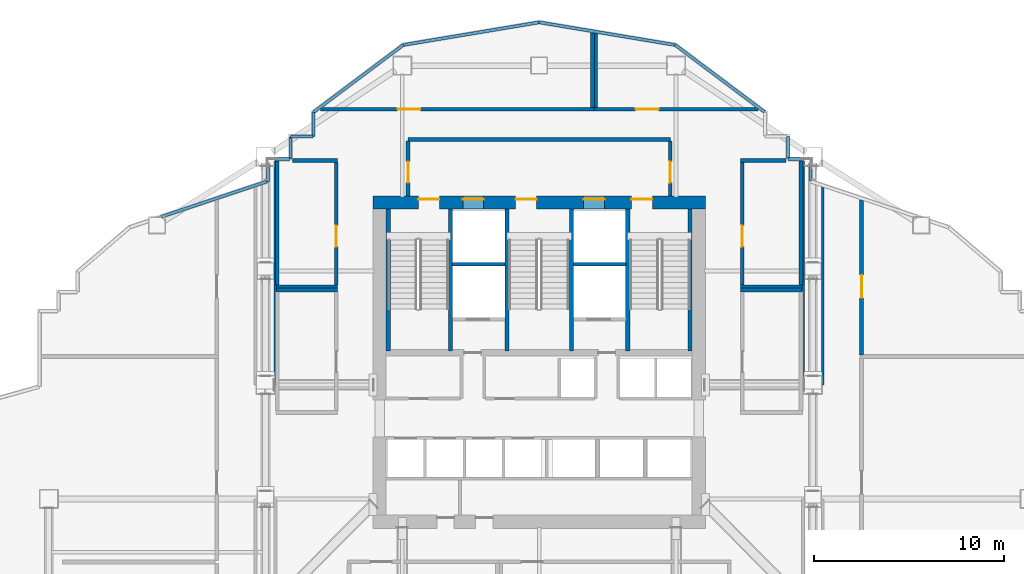
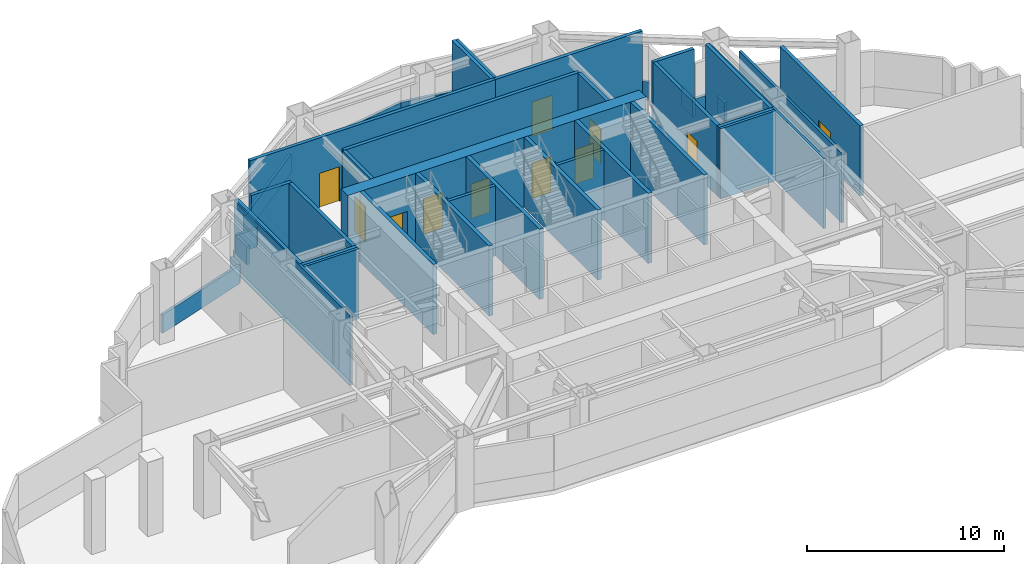
# One storey, part 16 of 24: 43 walls, 12 doors, 12 openings.
"""IFC4 building model written with IfcOpenShell, lengths in metres."""

import ifcopenshell
import ifcopenshell.guid

model = None  # the IFC model being written
_history = None  # IfcOwnerHistory: only IFC2X3 demands one
_inside = {}  # id of a spatial element -> (the spatial element, [elements in it])
_under = {}  # id of a project, library or spatial element -> (it, [spatial elements below it])
_declared = {}  # id of a project -> (the project, [libraries it declares])
_typed = {}  # id of a type object -> (the type object, [elements of that type])
_made_of = {}  # id of a material, layer set ... -> (it, [elements and type objects made of it])


def new_model(schema):
    """Start an empty IFC model of exactly this schema.

    Asked for "IFC4X3", IfcOpenShell would pick the latest addendum, in which some entities
    have other attributes; the version numbers below select the first issue.
    IFC2X3 requires an IfcOwnerHistory on every rooted entity: one is made here for all.
    """
    global model, _history
    if schema == "IFC4X3":
        model = ifcopenshell.file(schema_version=(4, 3, 0, 0))
    else:
        model = ifcopenshell.file(schema=schema)
    _inside.clear()
    _under.clear()
    _declared.clear()
    _typed.clear()
    _made_of.clear()
    _history = None
    if model.schema == "IFC2X3":
        org = make("IfcOrganization", Name="unknown")
        user = make(
            "IfcPersonAndOrganization",
            ThePerson=make("IfcPerson", FamilyName="unknown"),
            TheOrganization=org,
        )
        app = make(
            "IfcApplication",
            ApplicationDeveloper=org,
            Version="unknown",
            ApplicationFullName="unknown",
            ApplicationIdentifier="unknown",
        )
        _history = make(
            "IfcOwnerHistory",
            OwningUser=user,
            OwningApplication=app,
            ChangeAction="ADDED",
            CreationDate=0,
        )
    return model


def make(cls, **values):
    """One entity of the class cls with the attributes given. An attribute that is None is left unset."""
    return model.create_entity(
        cls, **{name: value for name, value in values.items() if value is not None}
    )


def rooted(cls, **values):
    """An entity with a GlobalId (a new one), such as an element, a storey or a relation."""
    return make(cls, GlobalId=ifcopenshell.guid.new(), OwnerHistory=_history, **values)


def si_unit(unit_type, name, prefix=None):
    """IfcSIUnit, for example si_unit("LENGTHUNIT", "METRE", prefix="MILLI")."""
    return make("IfcSIUnit", UnitType=unit_type, Prefix=prefix, Name=name)


def assignment(units):
    """IfcUnitAssignment: the units of a project."""
    return None if units is None else make("IfcUnitAssignment", Units=units)


def point(xyz):
    """IfcCartesianPoint."""
    return None if xyz is None else make("IfcCartesianPoint", Coordinates=xyz)


def direction(xyz):
    """IfcDirection."""
    return None if xyz is None else make("IfcDirection", DirectionRatios=xyz)


def frame(location, z_axis=None, x_axis=None):
    """IfcAxis2Placement3D, a coordinate frame: its origin and axes. An axis left out is left unset."""
    return make(
        "IfcAxis2Placement3D",
        Location=point(location),
        Axis=direction(z_axis),
        RefDirection=direction(x_axis),
    )


def frame_2d(location, x_axis=None):
    """IfcAxis2Placement2D, a coordinate frame in the plane: its origin and x axis."""
    return make(
        "IfcAxis2Placement2D", Location=point(location), RefDirection=direction(x_axis)
    )


def origin():
    """The frame at (0, 0, 0) with its axes left unset."""
    return frame((0.0, 0.0, 0.0))


def place(relative_to, where):
    """IfcLocalPlacement: puts the frame where relative to a parent placement (None: the world)."""
    return make(
        "IfcLocalPlacement", PlacementRelTo=relative_to, RelativePlacement=where
    )


def context(
    kind, dimensions, precision=None, world=None, true_north=None, identifier=None
):
    """IfcGeometricRepresentationContext, for example the 3D "Model" context."""
    return make(
        "IfcGeometricRepresentationContext",
        ContextIdentifier=identifier,
        ContextType=kind,
        CoordinateSpaceDimension=dimensions,
        Precision=precision,
        WorldCoordinateSystem=world,
        TrueNorth=true_north,
    )


def subcontext(parent, identifier, kind, view, scale=None):
    """IfcGeometricRepresentationSubContext, for example "Body" below "Model"."""
    return make(
        "IfcGeometricRepresentationSubContext",
        ContextIdentifier=identifier,
        ContextType=kind,
        ParentContext=parent,
        TargetScale=scale,
        TargetView=view,
    )


def project(units=None, contexts=None):
    """IfcProject with its units and contexts."""
    return rooted(
        "IfcProject",
        Name="project",
        RepresentationContexts=contexts,
        UnitsInContext=assignment(units),
    )


def spatial(cls, under=None, at=None, **own):
    """A site, building, storey or space (cls), placed at a placement, below another one or the project."""
    s = rooted(cls, ObjectPlacement=at, **own)
    if under is not None:
        _under.setdefault(under.id(), (under, []))[1].append(s)
    return s


def profile(cls, at=None, kind="AREA", **sizes):
    """A parametric profile (cls). Its sizes go by their IFC names, for example OverallWidth=200.0."""
    return make(cls, ProfileType=kind, Position=at, **sizes)


def rectangle(**sizes):
    """IfcRectangleProfileDef."""
    return profile("IfcRectangleProfileDef", **sizes)


def extrude(swept, where, along, depth):
    """IfcExtrudedAreaSolid: the profile swept, set in the frame where, extruded along a direction by depth."""
    return make(
        "IfcExtrudedAreaSolid",
        SweptArea=swept,
        Position=where,
        ExtrudedDirection=direction(along),
        Depth=depth,
    )


def shape(context_of_items, identifier, shape_type, items):
    """IfcShapeRepresentation: the items that make up one representation, for example the "Body"."""
    return make(
        "IfcShapeRepresentation",
        ContextOfItems=context_of_items,
        RepresentationIdentifier=identifier,
        RepresentationType=shape_type,
        Items=items,
    )


def material(Name=None, Category=None):
    """IfcMaterial."""
    return make("IfcMaterial", Name=Name, Category=Category)


def layer(
    of_material, thickness, ventilated=None, Name=None, Category=None, Priority=None
):
    """IfcMaterialLayer: one layer of a wall or slab, of a material (None: an air gap)."""
    return make(
        "IfcMaterialLayer",
        Material=of_material,
        LayerThickness=thickness,
        IsVentilated=ventilated,
        Name=Name,
        Category=Category,
        Priority=Priority,
    )


def layer_set(layers, Name=None):
    """IfcMaterialLayerSet."""
    return make("IfcMaterialLayerSet", MaterialLayers=layers, LayerSetName=Name)


def made_of(thing, what):
    """Note that an element or type object is made of a material, layer set ...; save() writes the relation."""
    if what is not None:
        _made_of.setdefault(what.id(), (what, []))[1].append(thing)
    return thing


def type_object(cls, material=None, **own):
    """A type object (cls), such as IfcWallType, which elements share."""
    return made_of(rooted(cls, **own), material)


def element(
    cls,
    number,
    at=None,
    inside=None,
    cuts=None,
    type_object=None,
    material=None,
    context=None,
    identifier="Body",
    shape_type=None,
    held_by="IfcProductDefinitionShape",
    body=None,
    shapes=None,
    **own,
):
    """One element of the class cls, such as IfcWall. Its Tag is "e" and its number.

    at: its placement. inside: the storey or other place that contains it. cuts: it is an
    opening in that element (IfcRelVoidsElement). A single representation is given by context,
    identifier, shape_type and body (its items); several are given by shapes. held_by: the class
    of the entity that holds the representations. save() writes the other relations.
    """
    e = rooted(cls, Tag="e%d" % number, ObjectPlacement=at, **own)
    if body is not None:
        shapes = [shape(context, identifier, shape_type, body)]
    if shapes is not None:
        e.Representation = make(held_by, Representations=shapes)
    if inside is not None:
        _inside.setdefault(inside.id(), (inside, []))[1].append(e)
    if cuts is not None:
        rooted(
            "IfcRelVoidsElement", RelatingBuildingElement=cuts, RelatedOpeningElement=e
        )
    if type_object is not None:
        _typed.setdefault(type_object.id(), (type_object, []))[1].append(e)
    return made_of(e, material)


def fill(opening, filler):
    """IfcRelFillsElement: the door or window that sits in an opening."""
    return rooted(
        "IfcRelFillsElement",
        RelatingOpeningElement=opening,
        RelatedBuildingElement=filler,
    )


def aggregate(whole, parts):
    """IfcRelAggregates: a whole, such as a stair, and the parts it consists of."""
    return rooted("IfcRelAggregates", RelatingObject=whole, RelatedObjects=parts)


def save(model, path):
    """Write the relations noted so far, then the file.

    IfcRelAggregates (storeys below a building ...), IfcRelContainedInSpatialStructure (elements
    in a storey), IfcRelDefinesByType, IfcRelAssociatesMaterial and IfcRelDeclares: one each for
    every whole, place, type object, material and project.
    """
    for whole, parts in _under.values():
        aggregate(whole, parts)
    for where, things in _inside.values():
        rooted(
            "IfcRelContainedInSpatialStructure",
            RelatedElements=things,
            RelatingStructure=where,
        )
    for kind, things in _typed.values():
        rooted("IfcRelDefinesByType", RelatedObjects=things, RelatingType=kind)
    for what, things in _made_of.values():
        rooted("IfcRelAssociatesMaterial", RelatedObjects=things, RelatingMaterial=what)
    for by, libraries in _declared.values():
        rooted("IfcRelDeclares", RelatingContext=by, RelatedDefinitions=libraries)
    model.write(path)


model = new_model("IFC4")

# Units and contexts
model_context = context("Model", 3, precision=1e-05, world=origin(), true_north=direction((0.0, 1.0)))
body_context = subcontext(model_context, "Body", "Model", "MODEL_VIEW")
ifc_project = project(units=[si_unit("LENGTHUNIT", "METRE"), si_unit("AREAUNIT", "SQUARE_METRE"), si_unit("VOLUMEUNIT", "CUBIC_METRE"), si_unit("PLANEANGLEUNIT", "RADIAN"), si_unit("MASSUNIT", "GRAM", prefix="KILO")], contexts=[model_context])

# Site, building, storey
site_placement = place(None, origin())
site = spatial("IfcSite", under=ifc_project, at=site_placement, CompositionType="ELEMENT")
building_placement = place(site_placement, origin())
building = spatial("IfcBuilding", under=site, at=building_placement, Name="Haolan Belvedere Tower", CompositionType="ELEMENT")
storey_placement = place(building_placement, frame((0.0, 0.0, 160.0)))
storey = spatial("IfcBuildingStorey", under=building, at=storey_placement, Name="L40", CompositionType="ELEMENT", Elevation=160.0)

# Wall, openings, doors
ifc_material_1 = material(Name="Concrete C60/75", Category="concrete")
ifc_layer_1 = layer(ifc_material_1, 0.699951171875, Name="Concrete C60/75")
ifc_layer_set_1 = layer_set([ifc_layer_1], Name="Concrete C60/75")
wall_type_1 = type_object("IfcWallType", Name="WL-CORE-700", PredefinedType="SHEAR", material=ifc_layer_set_1)
wall_1_placement = place(storey_placement, frame((29.64990234375, 43.199951171875, 0.0), z_axis=(0.0, 0.0, 1.0), x_axis=(1.0, 0.0, 0.0)))
wall_1 = element("IfcWall", 1, at=wall_1_placement, inside=storey, type_object=wall_type_1, Name="L40 central core north shear wall", PredefinedType="SHEAR", context=body_context, shape_type="SweptSolid", body=[
    extrude(rectangle(XDim=17.5, YDim=0.699951171875, at=frame_2d((8.75, 0.0))), origin(), (0.0, 0.0, 1.0), 4.35009765625),
])
opening_1_placement = place(wall_1_placement, frame((2.39990234375, 0.0, 0.0)))
opening_1 = element("IfcOpeningElement", 2, at=opening_1_placement, cuts=wall_1, Name="Opening FD-03", PredefinedType="OPENING", context=body_context, shape_type="SweptSolid", body=[
    extrude(rectangle(XDim=1.10009765625, YDim=2.14990234375, at=frame_2d((0.550048828125, 1.074951171875))), frame((0.0, 0.35986328125, 0.0), z_axis=(0.0, -1.0, 0.0), x_axis=(1.0, 0.0, 0.0)), (0.0, 0.0, 1.0), 0.719970703125),
])
opening_2_placement = place(wall_1_placement, frame((7.510009765625, 0.0, 0.0)))
opening_2 = element("IfcOpeningElement", 3, at=opening_2_placement, cuts=wall_1, Name="Opening FD-03", PredefinedType="OPENING", context=body_context, shape_type="SweptSolid", body=[
    extrude(rectangle(XDim=1.10009765625, YDim=2.14990234375, at=frame_2d((0.550048828125, 1.074951171875))), frame((0.0, 0.35986328125, 0.0), z_axis=(0.0, -1.0, 0.0), x_axis=(1.0, 0.0, 0.0)), (0.0, 0.0, 1.0), 0.719970703125),
])
opening_3_placement = place(wall_1_placement, frame((13.60009765625, 0.0, 0.0)))
opening_3 = element("IfcOpeningElement", 4, at=opening_3_placement, cuts=wall_1, Name="Opening FD-03", PredefinedType="OPENING", context=body_context, shape_type="SweptSolid", body=[
    extrude(rectangle(XDim=1.10009765625, YDim=2.14990234375, at=frame_2d((0.550048828125, 1.074951171875))), frame((0.0, 0.35986328125, 0.0), z_axis=(0.0, -1.0, 0.0), x_axis=(1.0, 0.0, 0.0)), (0.0, 0.0, 1.0), 0.719970703125),
])
opening_4_placement = place(wall_1_placement, frame((4.72998046875, 0.0, 0.0)))
opening_4 = element("IfcOpeningElement", 5, at=opening_4_placement, cuts=wall_1, Name="Opening LD-01", PredefinedType="OPENING", context=body_context, shape_type="SweptSolid", body=[
    extrude(rectangle(XDim=1.10009765625, YDim=2.199951171875, at=frame_2d((0.550048828125, 1.10009765625))), frame((0.0, 0.35986328125, 0.0), z_axis=(0.0, -1.0, 0.0), x_axis=(1.0, 0.0, 0.0)), (0.0, 0.0, 1.0), 0.719970703125),
])
opening_5_placement = place(wall_1_placement, frame((11.090087890625, 0.0, 0.0)))
opening_5 = element("IfcOpeningElement", 6, at=opening_5_placement, cuts=wall_1, Name="Opening LD-01", PredefinedType="OPENING", context=body_context, shape_type="SweptSolid", body=[
    extrude(rectangle(XDim=1.10009765625, YDim=2.199951171875, at=frame_2d((0.550048828125, 1.10009765625))), frame((0.0, 0.35986328125, 0.0), z_axis=(0.0, -1.0, 0.0), x_axis=(1.0, 0.0, 0.0)), (0.0, 0.0, 1.0), 0.719970703125),
])
ifc_material_2 = material(Name="Galvanised fire-rated steel", Category="steel")
door_type_1 = type_object("IfcDoorType", Name="DR-FD90-1100", OperationType="NOTDEFINED", PredefinedType="DOOR", material=ifc_material_2)
door_1_placement = place(opening_1_placement, origin())
door_1 = element("IfcDoor", 7, at=door_1_placement, inside=storey, type_object=door_type_1, Name="L40 door CD-L40-ST1", OperationType="SINGLE_SWING_LEFT", OverallHeight=2.14990234375, OverallWidth=1.10009765625, PredefinedType="DOOR", context=body_context, shape_type="SweptSolid", body=[
    extrude(rectangle(XDim=1.10009765625, YDim=2.14990234375, at=frame_2d((0.550048828125, 1.074951171875))), frame((0.0, 0.18505859375, 0.0), z_axis=(0.0, -1.0, 0.0), x_axis=(1.0, 0.0, 0.0)), (0.0, 0.0, 1.0), 0.050048828125),
])
fill(opening_1, door_1)
door_2_placement = place(opening_2_placement, origin())
door_2 = element("IfcDoor", 8, at=door_2_placement, inside=storey, type_object=door_type_1, Name="L40 door CD-L40-ST3", OperationType="SINGLE_SWING_LEFT", OverallHeight=2.14990234375, OverallWidth=1.10009765625, PredefinedType="DOOR", context=body_context, shape_type="SweptSolid", body=[
    extrude(rectangle(XDim=1.10009765625, YDim=2.14990234375, at=frame_2d((0.550048828125, 1.074951171875))), frame((0.0, 0.18505859375, 0.0), z_axis=(0.0, -1.0, 0.0), x_axis=(1.0, 0.0, 0.0)), (0.0, 0.0, 1.0), 0.050048828125),
])
fill(opening_2, door_2)
door_3_placement = place(opening_3_placement, origin())
door_3 = element("IfcDoor", 9, at=door_3_placement, inside=storey, type_object=door_type_1, Name="L40 door CD-L40-ST2", OperationType="SINGLE_SWING_RIGHT", OverallHeight=2.14990234375, OverallWidth=1.10009765625, PredefinedType="DOOR", context=body_context, shape_type="SweptSolid", body=[
    extrude(rectangle(XDim=1.10009765625, YDim=2.14990234375, at=frame_2d((0.550048828125, 1.074951171875))), frame((0.0, 0.18505859375, 0.0), z_axis=(0.0, -1.0, 0.0), x_axis=(1.0, 0.0, 0.0)), (0.0, 0.0, 1.0), 0.050048828125),
])
fill(opening_3, door_3)
ifc_material_3 = material(Name="Brushed champagne stainless steel 316L", Category="steel")
door_type_2 = type_object("IfcDoorType", Name="DR-LIFT-1100", OperationType="SLIDING_TO_LEFT", PredefinedType="DOOR", material=ifc_material_3)
door_4_placement = place(opening_4_placement, origin())
door_4 = element("IfcDoor", 10, at=door_4_placement, inside=storey, type_object=door_type_2, Name="L40 door LD-L40-FF1", OperationType="SLIDING_TO_LEFT", OverallHeight=2.199951171875, OverallWidth=1.10009765625, PredefinedType="DOOR", context=body_context, shape_type="SweptSolid", body=[
    extrude(rectangle(XDim=1.10009765625, YDim=2.199951171875, at=frame_2d((0.550048828125, 1.10009765625))), frame((0.0, 0.18505859375, 0.0), z_axis=(0.0, -1.0, 0.0), x_axis=(1.0, 0.0, 0.0)), (0.0, 0.0, 1.0), 0.050048828125),
])
fill(opening_4, door_4)
door_5_placement = place(opening_5_placement, origin())
door_5 = element("IfcDoor", 11, at=door_5_placement, inside=storey, type_object=door_type_2, Name="L40 door LD-L40-FF2", OperationType="SLIDING_TO_LEFT", OverallHeight=2.199951171875, OverallWidth=1.10009765625, PredefinedType="DOOR", context=body_context, shape_type="SweptSolid", body=[
    extrude(rectangle(XDim=1.10009765625, YDim=2.199951171875, at=frame_2d((0.550048828125, 1.10009765625))), frame((0.0, 0.18505859375, 0.0), z_axis=(0.0, -1.0, 0.0), x_axis=(1.0, 0.0, 0.0)), (0.0, 0.0, 1.0), 0.050048828125),
])
fill(opening_5, door_5)

# Wall
ifc_material_4 = material(Name="Concrete C40/50", Category="concrete")
ifc_layer_2 = layer(ifc_material_4, 0.199951171875, Name="Concrete C40/50")
ifc_layer_set_2 = layer_set([ifc_layer_2], Name="Concrete C40/50")
wall_type_2 = type_object("IfcWallType", Name="WL-FIRE-200", PredefinedType="SOLIDWALL", material=ifc_layer_set_2)
wall_2_placement = place(storey_placement, frame((31.5, 46.52001953125, 0.0), z_axis=(0.0, 0.0, 1.0), x_axis=(1.0, 0.0, 0.0)))
element("IfcWall", 12, at=wall_2_placement, inside=storey, type_object=wall_type_2, Name="L40 interior partition IW-L40-FFL-N", PredefinedType="SOLIDWALL", context=body_context, shape_type="SweptSolid", body=[
    extrude(rectangle(XDim=13.800048828125, YDim=0.199951171875, at=frame_2d((6.89990234375, 0.0))), origin(), (0.0, 0.0, 1.0), 4.35009765625),
])

# Wall, opening, door
wall_3_placement = place(storey_placement, frame((31.5, 43.550048828125, 0.0), z_axis=(0.0, 0.0, 1.0), x_axis=(0.0, 1.0, 0.0)))
wall_3 = element("IfcWall", 13, at=wall_3_placement, inside=storey, type_object=wall_type_2, Name="L40 interior partition IW-L40-FFL-W", PredefinedType="SOLIDWALL", context=body_context, shape_type="SweptSolid", body=[
    extrude(rectangle(XDim=2.885009765625, YDim=0.199951171875, at=frame_2d((1.4423828125, 0.0))), origin(), (0.0, 0.0, 1.0), 4.35009765625),
])
opening_6_placement = place(wall_3_placement, frame((1.800048828125, 0.0, 0.0), z_axis=(0.0, 0.0, 1.0), x_axis=(-1.0, 0.0, 0.0)))
opening_6 = element("IfcOpeningElement", 14, at=opening_6_placement, cuts=wall_3, Name="Opening FD-03", PredefinedType="OPENING", context=body_context, shape_type="SweptSolid", body=[
    extrude(rectangle(XDim=1.10009765625, YDim=2.14990234375, at=frame_2d((0.550048828125, 1.074951171875))), frame((0.0, 0.10986328125, 0.0), z_axis=(0.0, -1.0, 0.0), x_axis=(1.0, 0.0, 0.0)), (0.0, 0.0, 1.0), 0.219970703125),
])
door_6_placement = place(opening_6_placement, origin())
door_6 = element("IfcDoor", 15, at=door_6_placement, inside=storey, type_object=door_type_1, Name="L40 door ID-L40-FFL-DW", OperationType="SINGLE_SWING_LEFT", OverallHeight=2.14990234375, OverallWidth=1.10009765625, PredefinedType="DOOR", context=body_context, shape_type="SweptSolid", body=[
    extrude(rectangle(XDim=1.10009765625, YDim=2.14990234375, at=frame_2d((0.550048828125, 1.074951171875))), frame((0.0, 0.02490234375, 0.0), z_axis=(0.0, -1.0, 0.0), x_axis=(1.0, 0.0, 0.0)), (0.0, 0.0, 1.0), 0.050048828125),
])
fill(opening_6, door_6)

wall_4_placement = place(storey_placement, frame((45.300048828125, 43.550048828125, 0.0), z_axis=(0.0, 0.0, 1.0), x_axis=(0.0, 1.0, 0.0)))
wall_4 = element("IfcWall", 16, at=wall_4_placement, inside=storey, type_object=wall_type_2, Name="L40 interior partition IW-L40-FFL-E", PredefinedType="SOLIDWALL", context=body_context, shape_type="SweptSolid", body=[
    extrude(rectangle(XDim=2.885009765625, YDim=0.199951171875, at=frame_2d((1.4423828125, 0.0))), origin(), (0.0, 0.0, 1.0), 4.35009765625),
])
opening_7_placement = place(wall_4_placement, frame((0.699951171875, 0.0, 0.0)))
opening_7 = element("IfcOpeningElement", 17, at=opening_7_placement, cuts=wall_4, Name="Opening FD-03", PredefinedType="OPENING", context=body_context, shape_type="SweptSolid", body=[
    extrude(rectangle(XDim=1.10009765625, YDim=2.14990234375, at=frame_2d((0.550048828125, 1.074951171875))), frame((0.0, 0.10986328125, 0.0), z_axis=(0.0, -1.0, 0.0), x_axis=(1.0, 0.0, 0.0)), (0.0, 0.0, 1.0), 0.219970703125),
])
door_7_placement = place(opening_7_placement, origin())
door_7 = element("IfcDoor", 18, at=door_7_placement, inside=storey, type_object=door_type_1, Name="L40 door ID-L40-FFL-DE", OperationType="SINGLE_SWING_RIGHT", OverallHeight=2.14990234375, OverallWidth=1.10009765625, PredefinedType="DOOR", context=body_context, shape_type="SweptSolid", body=[
    extrude(rectangle(XDim=1.10009765625, YDim=2.14990234375, at=frame_2d((0.550048828125, 1.074951171875))), frame((0.0, 0.02490234375, 0.0), z_axis=(0.0, -1.0, 0.0), x_axis=(1.0, 0.0, 0.0)), (0.0, 0.0, 1.0), 0.050048828125),
])
fill(opening_7, door_7)

wall_5_placement = place(storey_placement, frame((55.360107421875, 35.18505859375, 0.0), z_axis=(0.0, 0.0, 1.0), x_axis=(0.0, 1.0, 0.0)))
wall_5 = element("IfcWall", 19, at=wall_5_placement, inside=storey, type_object=wall_type_2, Name="L40 interior partition IW-L40-REF-E2-W", PredefinedType="SOLIDWALL", context=body_context, shape_type="SweptSolid", body=[
    extrude(rectangle(XDim=8.13818359375, YDim=0.199951171875, at=frame_2d((4.069091796875, 0.0))), origin(), (0.0, 0.0, 1.0), 4.35009765625),
])
opening_8_placement = place(wall_5_placement, frame((2.9951171875, 0.0, 0.0)))
opening_8 = element("IfcOpeningElement", 20, at=opening_8_placement, cuts=wall_5, Name="Opening FD-02", PredefinedType="OPENING", context=body_context, shape_type="SweptSolid", body=[
    extrude(rectangle(XDim=1.199951171875, YDim=2.14990234375, at=frame_2d((0.60009765625, 1.074951171875))), frame((0.0, 0.10986328125, 0.0), z_axis=(0.0, -1.0, 0.0), x_axis=(1.0, 0.0, 0.0)), (0.0, 0.0, 1.0), 0.219970703125),
])
door_type_3 = type_object("IfcDoorType", Name="DR-FD90-1200", OperationType="NOTDEFINED", PredefinedType="DOOR", material=ifc_material_2)
door_8_placement = place(opening_8_placement, origin())
door_8 = element("IfcDoor", 21, at=door_8_placement, inside=storey, type_object=door_type_3, Name="L40 door ID-L40-REF-E2", OperationType="SINGLE_SWING_LEFT", OverallHeight=2.14990234375, OverallWidth=1.199951171875, PredefinedType="DOOR", context=body_context, shape_type="SweptSolid", body=[
    extrude(rectangle(XDim=1.199951171875, YDim=2.14990234375, at=frame_2d((0.60009765625, 1.074951171875))), frame((0.0, 0.02490234375, 0.0), z_axis=(0.0, -1.0, 0.0), x_axis=(1.0, 0.0, 0.0)), (0.0, 0.0, 1.0), 0.050048828125),
])
fill(opening_8, door_8)

# Walls
wall_6_placement = place(storey_placement, frame((24.580078125, 38.60009765625, 0.0), z_axis=(0.0, 0.0, 1.0), x_axis=(1.0, 0.0, 0.0)))
element("IfcWall", 22, at=wall_6_placement, inside=storey, type_object=wall_type_2, Name="L40 interior partition IW-L40-REF-WI1-N", PredefinedType="SOLIDWALL", context=body_context, shape_type="SweptSolid", body=[
    extrude(rectangle(XDim=3.219970703125, YDim=0.199951171875, at=frame_2d((1.60986328125, 0.0))), origin(), (0.0, 0.0, 1.0), 4.35009765625),
])
wall_7_placement = place(storey_placement, frame((25.412109375, 45.39990234375, 0.0), z_axis=(0.0, 0.0, 1.0), x_axis=(1.0, 0.0, 0.0)))
element("IfcWall", 23, at=wall_7_placement, inside=storey, type_object=wall_type_2, Name="L40 interior partition IW-L40-REF-WI2-N", PredefinedType="SOLIDWALL", context=body_context, shape_type="SweptSolid", body=[
    extrude(rectangle(XDim=2.387939453125, YDim=0.199951171875, at=frame_2d((1.19384765625, 0.0))), origin(), (0.0, 0.0, 1.0), 4.35009765625),
])
wall_8_placement = place(storey_placement, frame((24.580078125, 38.760009765625, 0.0), z_axis=(0.0, 0.0, 1.0), x_axis=(1.0, 0.0, 0.0)))
element("IfcWall", 24, at=wall_8_placement, inside=storey, type_object=wall_type_2, Name="L40 interior partition IW-L40-REF-WI2-S", PredefinedType="SOLIDWALL", context=body_context, shape_type="SweptSolid", body=[
    extrude(rectangle(XDim=3.219970703125, YDim=0.199951171875, at=frame_2d((1.60986328125, 0.0))), origin(), (0.0, 0.0, 1.0), 4.35009765625),
])
wall_9_placement = place(storey_placement, frame((24.6201171875, 38.844970703125, 0.0), z_axis=(0.0, 0.0, 1.0), x_axis=(0.0, 1.0, 0.0)))
element("IfcWall", 25, at=wall_9_placement, inside=storey, type_object=wall_type_2, Name="L40 interior partition IW-L40-REF-WI2-W", PredefinedType="SOLIDWALL", context=body_context, shape_type="SweptSolid", body=[
    extrude(rectangle(XDim=6.54296875, YDim=0.199951171875, at=frame_2d((3.271484375, 0.0))), origin(), (0.0, 0.0, 1.0), 4.35009765625),
])

# Wall, opening, door
wall_10_placement = place(storey_placement, frame((27.719970703125, 38.844970703125, 0.0), z_axis=(0.0, 0.0, 1.0), x_axis=(0.0, 1.0, 0.0)))
wall_10 = element("IfcWall", 26, at=wall_10_placement, inside=storey, type_object=wall_type_2, Name="L40 interior partition IW-L40-REF-WI2-E", PredefinedType="SOLIDWALL", context=body_context, shape_type="SweptSolid", body=[
    extrude(rectangle(XDim=6.469970703125, YDim=0.199951171875, at=frame_2d((3.23486328125, 0.0))), origin(), (0.0, 0.0, 1.0), 4.35009765625),
])
opening_9_placement = place(wall_10_placement, frame((3.135009765625, 0.0, 0.0), z_axis=(0.0, 0.0, 1.0), x_axis=(-1.0, 0.0, 0.0)))
opening_9 = element("IfcOpeningElement", 27, at=opening_9_placement, cuts=wall_10, Name="Opening FD-03", PredefinedType="OPENING", context=body_context, shape_type="SweptSolid", body=[
    extrude(rectangle(XDim=1.10009765625, YDim=2.14990234375, at=frame_2d((0.550048828125, 1.074951171875))), frame((0.0, 0.10986328125, 0.0), z_axis=(0.0, -1.0, 0.0), x_axis=(1.0, 0.0, 0.0)), (0.0, 0.0, 1.0), 0.219970703125),
])
door_9_placement = place(opening_9_placement, origin())
door_9 = element("IfcDoor", 28, at=door_9_placement, inside=storey, type_object=door_type_1, Name="L40 door ID-L40-REF-WI2", OperationType="SINGLE_SWING_RIGHT", OverallHeight=2.14990234375, OverallWidth=1.10009765625, PredefinedType="DOOR", context=body_context, shape_type="SweptSolid", body=[
    extrude(rectangle(XDim=1.10009765625, YDim=2.14990234375, at=frame_2d((0.550048828125, 1.074951171875))), frame((0.0, 0.02490234375, 0.0), z_axis=(0.0, -1.0, 0.0), x_axis=(1.0, 0.0, 0.0)), (0.0, 0.0, 1.0), 0.050048828125),
])
fill(opening_9, door_9)

# Walls
wall_11_placement = place(storey_placement, frame((49.0, 38.60009765625, 0.0), z_axis=(0.0, 0.0, 1.0), x_axis=(1.0, 0.0, 0.0)))
element("IfcWall", 29, at=wall_11_placement, inside=storey, type_object=wall_type_2, Name="L40 interior partition IW-L40-REF-EI1-N", PredefinedType="SOLIDWALL", context=body_context, shape_type="SweptSolid", body=[
    extrude(rectangle(XDim=3.219970703125, YDim=0.199951171875, at=frame_2d((1.60986328125, 0.0))), origin(), (0.0, 0.0, 1.0), 4.35009765625),
])
wall_12_placement = place(storey_placement, frame((49.0, 45.39990234375, 0.0), z_axis=(0.0, 0.0, 1.0), x_axis=(1.0, 0.0, 0.0)))
element("IfcWall", 30, at=wall_12_placement, inside=storey, type_object=wall_type_2, Name="L40 interior partition IW-L40-REF-EI2-N", PredefinedType="SOLIDWALL", context=body_context, shape_type="SweptSolid", body=[
    extrude(rectangle(XDim=2.387939453125, YDim=0.199951171875, at=frame_2d((1.19384765625, 0.0))), origin(), (0.0, 0.0, 1.0), 4.35009765625),
])
wall_13_placement = place(storey_placement, frame((49.0, 38.760009765625, 0.0), z_axis=(0.0, 0.0, 1.0), x_axis=(1.0, 0.0, 0.0)))
element("IfcWall", 31, at=wall_13_placement, inside=storey, type_object=wall_type_2, Name="L40 interior partition IW-L40-REF-EI2-S", PredefinedType="SOLIDWALL", context=body_context, shape_type="SweptSolid", body=[
    extrude(rectangle(XDim=3.219970703125, YDim=0.199951171875, at=frame_2d((1.60986328125, 0.0))), origin(), (0.0, 0.0, 1.0), 4.35009765625),
])

# Wall, opening, door
wall_14_placement = place(storey_placement, frame((49.080078125, 38.844970703125, 0.0), z_axis=(0.0, 0.0, 1.0), x_axis=(0.0, 1.0, 0.0)))
wall_14 = element("IfcWall", 32, at=wall_14_placement, inside=storey, type_object=wall_type_2, Name="L40 interior partition IW-L40-REF-EI2-W", PredefinedType="SOLIDWALL", context=body_context, shape_type="SweptSolid", body=[
    extrude(rectangle(XDim=6.469970703125, YDim=0.199951171875, at=frame_2d((3.23486328125, 0.0))), origin(), (0.0, 0.0, 1.0), 4.35009765625),
])
opening_10_placement = place(wall_14_placement, frame((2.034912109375, 0.0, 0.0)))
opening_10 = element("IfcOpeningElement", 33, at=opening_10_placement, cuts=wall_14, Name="Opening FD-03", PredefinedType="OPENING", context=body_context, shape_type="SweptSolid", body=[
    extrude(rectangle(XDim=1.10009765625, YDim=2.14990234375, at=frame_2d((0.550048828125, 1.074951171875))), frame((0.0, 0.10986328125, 0.0), z_axis=(0.0, -1.0, 0.0), x_axis=(1.0, 0.0, 0.0)), (0.0, 0.0, 1.0), 0.219970703125),
])
door_10_placement = place(opening_10_placement, origin())
door_10 = element("IfcDoor", 34, at=door_10_placement, inside=storey, type_object=door_type_1, Name="L40 door ID-L40-REF-EI2", OperationType="SINGLE_SWING_LEFT", OverallHeight=2.14990234375, OverallWidth=1.10009765625, PredefinedType="DOOR", context=body_context, shape_type="SweptSolid", body=[
    extrude(rectangle(XDim=1.10009765625, YDim=2.14990234375, at=frame_2d((0.550048828125, 1.074951171875))), frame((0.0, 0.02490234375, 0.0), z_axis=(0.0, -1.0, 0.0), x_axis=(1.0, 0.0, 0.0)), (0.0, 0.0, 1.0), 0.050048828125),
])
fill(opening_10, door_10)

# Wall
wall_15_placement = place(storey_placement, frame((52.179931640625, 38.844970703125, 0.0), z_axis=(0.0, 0.0, 1.0), x_axis=(0.0, 1.0, 0.0)))
element("IfcWall", 35, at=wall_15_placement, inside=storey, type_object=wall_type_2, Name="L40 interior partition IW-L40-REF-EI2-E", PredefinedType="SOLIDWALL", context=body_context, shape_type="SweptSolid", body=[
    extrude(rectangle(XDim=6.54296875, YDim=0.199951171875, at=frame_2d((3.271484375, 0.0))), origin(), (0.0, 0.0, 1.0), 4.35009765625),
])

# Wall, opening, door
wall_16_placement = place(storey_placement, frame((26.88671875, 48.10009765625, 0.0), z_axis=(0.0, 0.0, 1.0), x_axis=(1.0, 0.0, 0.0)))
wall_16 = element("IfcWall", 36, at=wall_16_placement, inside=storey, type_object=wall_type_2, Name="L40 interior partition IW-L40-REF-NW-S", PredefinedType="SOLIDWALL", context=body_context, shape_type="SweptSolid", body=[
    extrude(rectangle(XDim=14.393310546875, YDim=0.199951171875, at=frame_2d((7.19677734375, 0.0))), origin(), (0.0, 0.0, 1.0), 4.35009765625),
])
opening_11_placement = place(wall_16_placement, frame((4.063232421875, 0.0, 0.0)))
opening_11 = element("IfcOpeningElement", 37, at=opening_11_placement, cuts=wall_16, Name="Opening FD-02", PredefinedType="OPENING", context=body_context, shape_type="SweptSolid", body=[
    extrude(rectangle(XDim=1.199951171875, YDim=2.14990234375, at=frame_2d((0.60009765625, 1.074951171875))), frame((0.0, 0.10986328125, 0.0), z_axis=(0.0, -1.0, 0.0), x_axis=(1.0, 0.0, 0.0)), (0.0, 0.0, 1.0), 0.219970703125),
])
door_11_placement = place(opening_11_placement, origin())
door_11 = element("IfcDoor", 38, at=door_11_placement, inside=storey, type_object=door_type_3, Name="L40 door ID-L40-REF-NW", OperationType="SINGLE_SWING_LEFT", OverallHeight=2.14990234375, OverallWidth=1.199951171875, PredefinedType="DOOR", context=body_context, shape_type="SweptSolid", body=[
    extrude(rectangle(XDim=1.199951171875, YDim=2.14990234375, at=frame_2d((0.60009765625, 1.074951171875))), frame((0.0, 0.02490234375, 0.0), z_axis=(0.0, -1.0, 0.0), x_axis=(1.0, 0.0, 0.0)), (0.0, 0.0, 1.0), 0.050048828125),
])
fill(opening_11, door_11)

# Wall
wall_17_placement = place(storey_placement, frame((41.199951171875, 48.18505859375, 0.0), z_axis=(0.0, 0.0, 1.0), x_axis=(0.0, 1.0, 0.0)))
element("IfcWall", 39, at=wall_17_placement, inside=storey, type_object=wall_type_2, Name="L40 interior partition IW-L40-REF-NW-E", PredefinedType="SOLIDWALL", context=body_context, shape_type="SweptSolid", body=[
    extrude(rectangle(XDim=3.933349609375, YDim=0.199951171875, at=frame_2d((1.966796875, 0.0))), origin(), (0.0, 0.0, 1.0), 4.35009765625),
])

# Wall, opening, door
wall_18_placement = place(storey_placement, frame((41.284912109375, 48.10009765625, 0.0), z_axis=(0.0, 0.0, 1.0), x_axis=(1.0, 0.0, 0.0)))
wall_18 = element("IfcWall", 40, at=wall_18_placement, inside=storey, type_object=wall_type_2, Name="L40 interior partition IW-L40-REF-NE-S", PredefinedType="SOLIDWALL", context=body_context, shape_type="SweptSolid", body=[
    extrude(rectangle(XDim=8.62841796875, YDim=0.199951171875, at=frame_2d((4.314208984375, 0.0))), origin(), (0.0, 0.0, 1.0), 4.35009765625),
])
opening_12_placement = place(wall_18_placement, frame((2.195068359375, 0.0, 0.0)))
opening_12 = element("IfcOpeningElement", 41, at=opening_12_placement, cuts=wall_18, Name="Opening FD-02", PredefinedType="OPENING", context=body_context, shape_type="SweptSolid", body=[
    extrude(rectangle(XDim=1.199951171875, YDim=2.14990234375, at=frame_2d((0.60009765625, 1.074951171875))), frame((0.0, 0.10986328125, 0.0), z_axis=(0.0, -1.0, 0.0), x_axis=(1.0, 0.0, 0.0)), (0.0, 0.0, 1.0), 0.219970703125),
])
door_12_placement = place(opening_12_placement, origin())
door_12 = element("IfcDoor", 42, at=door_12_placement, inside=storey, type_object=door_type_3, Name="L40 door ID-L40-REF-NE", OperationType="SINGLE_SWING_RIGHT", OverallHeight=2.14990234375, OverallWidth=1.199951171875, PredefinedType="DOOR", context=body_context, shape_type="SweptSolid", body=[
    extrude(rectangle(XDim=1.199951171875, YDim=2.14990234375, at=frame_2d((0.60009765625, 1.074951171875))), frame((0.0, 0.02490234375, 0.0), z_axis=(0.0, -1.0, 0.0), x_axis=(1.0, 0.0, 0.0)), (0.0, 0.0, 1.0), 0.050048828125),
])
fill(opening_12, door_12)

# Walls
wall_19_placement = place(storey_placement, frame((41.360107421875, 48.18505859375, 0.0), z_axis=(0.0, 0.0, 1.0), x_axis=(0.0, 1.0, 0.0)))
element("IfcWall", 43, at=wall_19_placement, inside=storey, type_object=wall_type_2, Name="L40 interior partition IW-L40-REF-NE-W", PredefinedType="SOLIDWALL", context=body_context, shape_type="SweptSolid", body=[
    extrude(rectangle(XDim=3.90673828125, YDim=0.199951171875, at=frame_2d((1.953369140625, 0.0))), origin(), (0.0, 0.0, 1.0), 4.35009765625),
])
ifc_material_5 = material(Name="Precast concrete C40/50", Category="concrete")
ifc_layer_3 = layer(ifc_material_5, 0.159912109375, Name="Precast concrete C40/50")
ifc_layer_set_3 = layer_set([ifc_layer_3], Name="Precast concrete C40/50")
wall_type_3 = type_object("IfcWallType", Name="WL-PAR-160", PredefinedType="PARAPET", material=ifc_layer_set_3)
wall_20_placement = place(storey_placement, frame((52.679931640625, 44.343505859375, 0.0), z_axis=(0.0, 0.0, 1.0), x_axis=(0.0, 1.0, 0.0)))
element("IfcWall", 44, at=wall_20_placement, inside=storey, type_object=wall_type_3, Name="L40 refuge open-band parapet 21.1", PredefinedType="PARAPET", context=body_context, shape_type="SweptSolid", body=[
    extrude(rectangle(XDim=0.764404296875, YDim=0.159912109375, at=frame_2d((0.38232421875, 0.0))), origin(), (0.0, 0.0, 1.0), 1.14990234375),
])
wall_21_placement = place(storey_placement, frame((52.30810546875, 45.47998046875, 0.0), z_axis=(0.0, 0.0, 1.0), x_axis=(-1.0, 0.0, 0.0)))
element("IfcWall", 45, at=wall_21_placement, inside=storey, type_object=wall_type_3, Name="L40 refuge open-band parapet 22.1", PredefinedType="PARAPET", context=body_context, shape_type="SweptSolid", body=[
    extrude(rectangle(XDim=0.828125, YDim=0.159912109375, at=frame_2d((0.4140625, 0.0))), origin(), (0.0, 0.0, 1.0), 1.14990234375),
])
wall_22_placement = place(storey_placement, frame((51.47998046875, 45.510009765625, 0.0), z_axis=(0.0, 0.0, 1.0), x_axis=(0.0, 1.0, 0.0)))
element("IfcWall", 46, at=wall_22_placement, inside=storey, type_object=wall_type_3, Name="L40 refuge open-band parapet 23.1", PredefinedType="PARAPET", context=body_context, shape_type="SweptSolid", body=[
    extrude(rectangle(XDim=1.169921875, YDim=0.159912109375, at=frame_2d((0.5849609375, 0.0))), origin(), (0.0, 0.0, 1.0), 1.14990234375),
])
wall_23_placement = place(storey_placement, frame((50.26806640625, 47.948974609375, 0.0), z_axis=(0.0, 0.0, 1.0), x_axis=(-0.800004969205, 0.599993374337, 0.0)))
element("IfcWall", 47, at=wall_23_placement, inside=storey, type_object=wall_type_3, Name="L40 refuge open-band parapet 26.1", PredefinedType="PARAPET", context=body_context, shape_type="SweptSolid", body=[
    extrude(rectangle(XDim=5.895751953125, YDim=0.159912109375, at=frame_2d((2.94775390625, 0.0))), origin(), (0.0, 0.0, 1.0), 1.14990234375),
])
wall_24_placement = place(storey_placement, frame((45.551513671875, 51.486328125, 0.0), z_axis=(0.0, 0.0, 1.0), x_axis=(-0.986394833909, 0.164393526752, 0.0)))
element("IfcWall", 48, at=wall_24_placement, inside=storey, type_object=wall_type_3, Name="L40 refuge open-band parapet 27.1", PredefinedType="PARAPET", context=body_context, shape_type="SweptSolid", body=[
    extrude(rectangle(XDim=7.250244140625, YDim=0.159912109375, at=frame_2d((3.625, 0.0))), origin(), (0.0, 0.0, 1.0), 1.14990234375),
])
wall_25_placement = place(storey_placement, frame((38.39990234375, 52.67822265625, 0.0), z_axis=(0.0, 0.0, 1.0), x_axis=(-0.986393923832, -0.164398987305, 0.0)))
element("IfcWall", 49, at=wall_25_placement, inside=storey, type_object=wall_type_3, Name="L40 refuge open-band parapet 28.1", PredefinedType="PARAPET", context=body_context, shape_type="SweptSolid", body=[
    extrude(rectangle(XDim=7.25, YDim=0.159912109375, at=frame_2d((3.625, 0.0))), origin(), (0.0, 0.0, 1.0), 1.14990234375),
])
wall_26_placement = place(storey_placement, frame((31.24853515625, 51.486328125, 0.0), z_axis=(0.0, 0.0, 1.0), x_axis=(-0.8, -0.6, 0.0)))
element("IfcWall", 50, at=wall_26_placement, inside=storey, type_object=wall_type_3, Name="L40 refuge open-band parapet 29.1", PredefinedType="PARAPET", context=body_context, shape_type="SweptSolid", body=[
    extrude(rectangle(XDim=5.91064453125, YDim=0.159912109375, at=frame_2d((2.955322265625, 0.0))), origin(), (0.0, 0.0, 1.0), 1.14990234375),
])
wall_27_placement = place(storey_placement, frame((26.52001953125, 47.925048828125, 0.0), z_axis=(0.0, 0.0, 1.0), x_axis=(0.0, -1.0, 0.0)))
element("IfcWall", 51, at=wall_27_placement, inside=storey, type_object=wall_type_3, Name="L40 refuge open-band parapet 30.1", PredefinedType="PARAPET", context=body_context, shape_type="SweptSolid", body=[
    extrude(rectangle(XDim=1.2451171875, YDim=0.159912109375, at=frame_2d((0.62255859375, 0.0))), origin(), (0.0, 0.0, 1.0), 1.14990234375),
])
for number, where, z_axis, x_axis, name in (
    (52, (26.489990234375, 46.679931640625, 0.0), (0.0, 0.0, 1.0), (-1.0, 0.0, 0.0), "L40 refuge open-band parapet 31.1"),
    (53, (25.320068359375, 46.64990234375, 0.0), (0.0, 0.0, 1.0), (0.0, -1.0, 0.0), "L40 refuge open-band parapet 32.1"),
):
    element("IfcWall", number, at=place(storey_placement, frame(where, z_axis=z_axis, x_axis=x_axis)), inside=storey, type_object=wall_type_3, Name=name, PredefinedType="PARAPET", context=body_context, shape_type="SweptSolid", body=[
        extrude(rectangle(XDim=1.169921875, YDim=0.159912109375, at=frame_2d((0.5849609375, 0.0))), origin(), (0.0, 0.0, 1.0), 1.14990234375),
    ])
wall_28_placement = place(storey_placement, frame((25.2900390625, 45.47998046875, 0.0), z_axis=(0.0, 0.0, 1.0), x_axis=(-1.0, 0.0, 0.0)))
element("IfcWall", 54, at=wall_28_placement, inside=storey, type_object=wall_type_3, Name="L40 refuge open-band parapet 33.1", PredefinedType="PARAPET", context=body_context, shape_type="SweptSolid", body=[
    extrude(rectangle(XDim=0.798095703125, YDim=0.159912109375, at=frame_2d((0.39892578125, 0.0))), origin(), (0.0, 0.0, 1.0), 1.14990234375),
])
wall_29_placement = place(storey_placement, frame((24.1201171875, 45.10791015625, 0.0), z_axis=(0.0, 0.0, 1.0), x_axis=(0.0, -1.0, 0.0)))
element("IfcWall", 55, at=wall_29_placement, inside=storey, type_object=wall_type_3, Name="L40 refuge open-band parapet 34.1", PredefinedType="PARAPET", context=body_context, shape_type="SweptSolid", body=[
    extrude(rectangle(XDim=0.79443359375, YDim=0.159912109375, at=frame_2d((0.397216796875, 0.0))), origin(), (0.0, 0.0, 1.0), 1.14990234375),
])
wall_30_placement = place(storey_placement, frame((24.091552734375, 44.303955078125, 0.0), z_axis=(0.0, 0.0, 1.0), x_axis=(-0.948683298051, -0.316227766017, 0.0)))
element("IfcWall", 56, at=wall_30_placement, inside=storey, type_object=wall_type_3, Name="L40 refuge open-band parapet 35.1", PredefinedType="PARAPET", context=body_context, shape_type="SweptSolid", body=[
    extrude(rectangle(XDim=5.888427734375, YDim=0.159912109375, at=frame_2d((2.9443359375, 0.0))), origin(), (0.0, 0.0, 1.0), 1.14990234375),
])
ifc_material_6 = material(Name="Double gypsum acoustic stud partition", Category="masonry")
ifc_layer_4 = layer(ifc_material_6, 0.14990234375, Name="Double gypsum acoustic stud partition")
ifc_layer_set_4 = layer_set([ifc_layer_4], Name="Double gypsum acoustic stud partition")
wall_type_4 = type_object("IfcWallType", Name="WL-PART-150", PredefinedType="PARTITIONING", material=ifc_layer_set_4)
wall_31_placement = place(storey_placement, frame((24.52001953125, 33.60009765625, 0.0), z_axis=(0.0, 0.0, 1.0), x_axis=(0.0, 1.0, 0.0)))
element("IfcWall", 57, at=wall_31_placement, inside=storey, type_object=wall_type_4, Name="L40 interior partition IW-L40-CH-BTW3-1", PredefinedType="PARTITIONING", context=body_context, shape_type="SweptSolid", body=[
    extrude(rectangle(XDim=11.787841796875, YDim=0.14990234375, at=frame_2d((5.89404296875, 0.0))), origin(), (0.0, 0.0, 1.0), 4.35009765625),
])
wall_32_placement = place(storey_placement, frame((53.320068359375, 33.60009765625, 0.0), z_axis=(0.0, 0.0, 1.0), x_axis=(0.0, 1.0, 0.0)))
element("IfcWall", 58, at=wall_32_placement, inside=storey, type_object=wall_type_4, Name="L40 interior partition IW-L40-CH-BTE3-1", PredefinedType="PARTITIONING", context=body_context, shape_type="SweptSolid", body=[
    extrude(rectangle(XDim=10.403076171875, YDim=0.14990234375, at=frame_2d((5.20166015625, 0.0))), origin(), (0.0, 0.0, 1.0), 4.35009765625),
])
wall_33_placement = place(storey_placement, frame((52.280029296875, 33.60009765625, 0.0), z_axis=(0.0, 0.0, 1.0), x_axis=(0.0, 1.0, 0.0)))
element("IfcWall", 59, at=wall_33_placement, inside=storey, type_object=wall_type_4, Name="L40 interior partition IW-L40-CH-BTE3-2", PredefinedType="PARTITIONING", context=body_context, shape_type="SweptSolid", body=[
    extrude(rectangle(XDim=11.787841796875, YDim=0.14990234375, at=frame_2d((5.89404296875, 0.0))), origin(), (0.0, 0.0, 1.0), 4.35009765625),
])
ifc_layer_5 = layer(ifc_material_5, 0.179931640625, Name="Precast concrete C40/50")
ifc_layer_set_5 = layer_set([ifc_layer_5], Name="Precast concrete C40/50")
wall_type_5 = type_object("IfcWallType", Name="WL-SHAFT-180", PredefinedType="SOLIDWALL", material=ifc_layer_set_5)
for number, where, z_axis, x_axis, name in (
    (60, (33.8349609375, 39.949951171875, 0.0), (0.0, 0.0, 1.0), (1.0, 0.0, 0.0), "L40 interior partition IW-L40-FF1-S"),
    (61, (40.195068359375, 39.949951171875, 0.0), (0.0, 0.0, 1.0), (1.0, 0.0, 0.0), "L40 interior partition IW-L40-FF2-S"),
):
    element("IfcWall", number, at=place(storey_placement, frame(where, z_axis=z_axis, x_axis=x_axis)), inside=storey, type_object=wall_type_5, Name=name, PredefinedType="SOLIDWALL", context=body_context, shape_type="SweptSolid", body=[
        extrude(rectangle(XDim=2.77001953125, YDim=0.179931640625, at=frame_2d((1.385009765625, 0.0))), origin(), (0.0, 0.0, 1.0), 4.35009765625),
    ])
ifc_material_7 = material(Name="Concrete C50/60", Category="concrete")
ifc_layer_6 = layer(ifc_material_7, 0.219970703125, Name="Concrete C50/60")
ifc_layer_set_6 = layer_set([ifc_layer_6], Name="Concrete C50/60")
wall_type_6 = type_object("IfcWallType", Name="WL-STAIR-220", PredefinedType="SHEAR", material=ifc_layer_set_6)
for number, where, z_axis, x_axis, name in (
    (62, (30.4619140625, 35.389892578125, 0.0), (0.0, 0.0, 1.0), (0.0, 1.0, 0.0), "L40 structural stair core wall ST1W"),
    (63, (33.739990234375, 35.389892578125, 0.0), (0.0, 0.0, 1.0), (0.0, 1.0, 0.0), "L40 structural stair core wall ST1E"),
    (64, (36.699951171875, 35.389892578125, 0.0), (0.0, 0.0, 1.0), (0.0, 1.0, 0.0), "L40 structural stair core wall ST3W"),
    (65, (40.10009765625, 35.389892578125, 0.0), (0.0, 0.0, 1.0), (0.0, 1.0, 0.0), "L40 structural stair core wall ST3E"),
    (66, (43.06005859375, 35.389892578125, 0.0), (0.0, 0.0, 1.0), (0.0, 1.0, 0.0), "L40 structural stair core wall ST2W"),
    (67, (46.337890625, 35.389892578125, 0.0), (0.0, 0.0, 1.0), (0.0, 1.0, 0.0), "L40 structural stair core wall ST2E"),
):
    element("IfcWall", number, at=place(storey_placement, frame(where, z_axis=z_axis, x_axis=x_axis)), inside=storey, type_object=wall_type_6, Name=name, PredefinedType="SHEAR", context=body_context, shape_type="SweptSolid", body=[
        extrude(rectangle(XDim=7.460205078125, YDim=0.219970703125, at=frame_2d((3.72998046875, 0.0))), origin(), (0.0, 0.0, 1.0), 4.35009765625),
    ])

save(model, "model.ifc")
